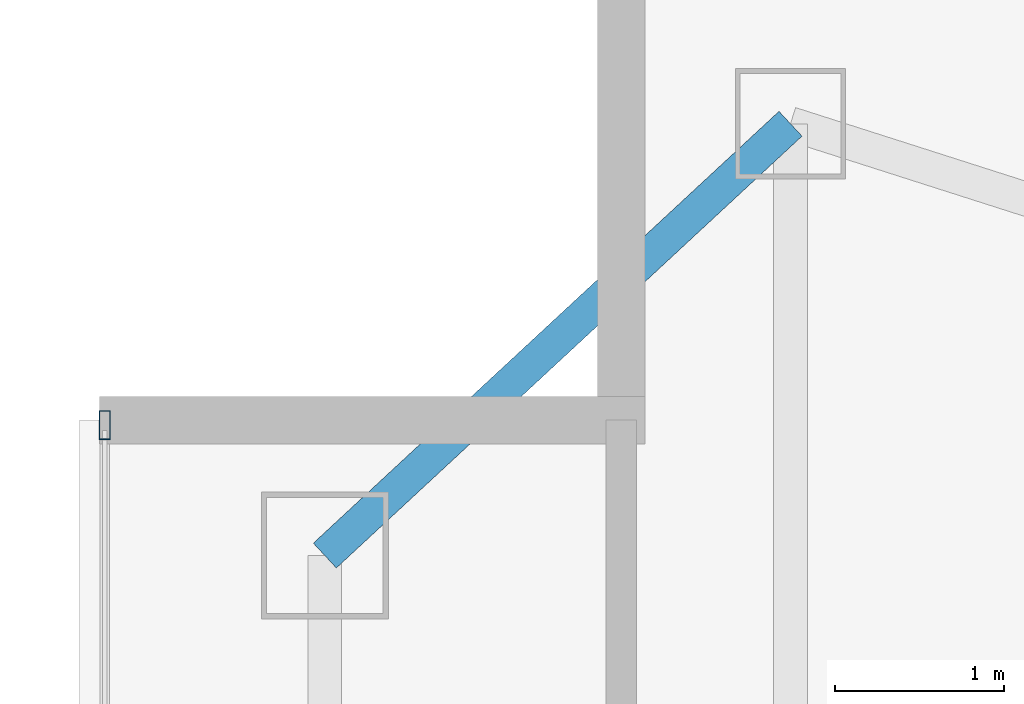
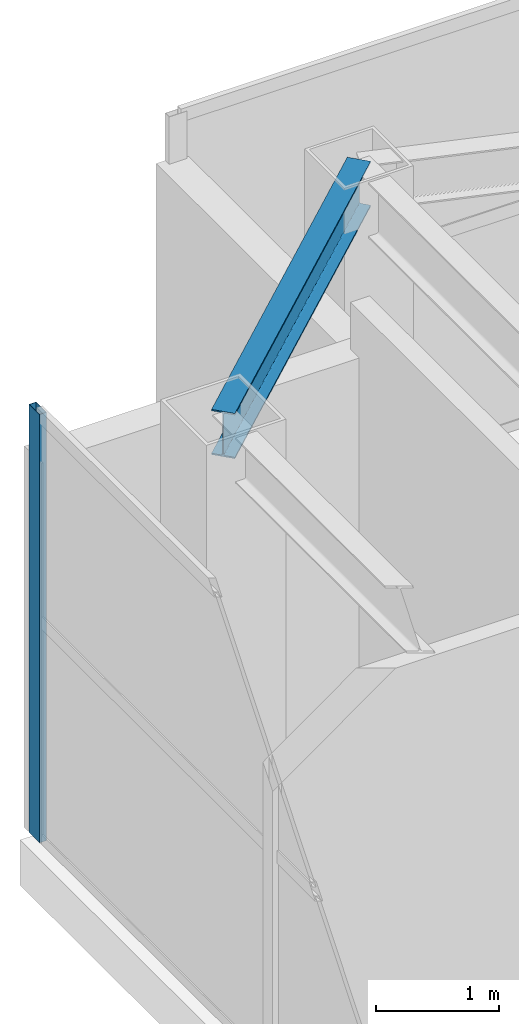
# One storey, part 16 of 25: 1 beam, 1 member, 1 element without a shape of its own.
"""IFC4 building model written with IfcOpenShell, lengths in metres."""

import ifcopenshell
import ifcopenshell.guid

model = None  # the IFC model being written
_history = None  # IfcOwnerHistory: only IFC2X3 demands one
_inside = {}  # id of a spatial element -> (the spatial element, [elements in it])
_under = {}  # id of a project, library or spatial element -> (it, [spatial elements below it])
_declared = {}  # id of a project -> (the project, [libraries it declares])
_typed = {}  # id of a type object -> (the type object, [elements of that type])
_made_of = {}  # id of a material, layer set ... -> (it, [elements and type objects made of it])


def new_model(schema):
    """Start an empty IFC model of exactly this schema.

    Asked for "IFC4X3", IfcOpenShell would pick the latest addendum, in which some entities
    have other attributes; the version numbers below select the first issue.
    IFC2X3 requires an IfcOwnerHistory on every rooted entity: one is made here for all.
    """
    global model, _history
    if schema == "IFC4X3":
        model = ifcopenshell.file(schema_version=(4, 3, 0, 0))
    else:
        model = ifcopenshell.file(schema=schema)
    _inside.clear()
    _under.clear()
    _declared.clear()
    _typed.clear()
    _made_of.clear()
    _history = None
    if model.schema == "IFC2X3":
        org = make("IfcOrganization", Name="unknown")
        user = make(
            "IfcPersonAndOrganization",
            ThePerson=make("IfcPerson", FamilyName="unknown"),
            TheOrganization=org,
        )
        app = make(
            "IfcApplication",
            ApplicationDeveloper=org,
            Version="unknown",
            ApplicationFullName="unknown",
            ApplicationIdentifier="unknown",
        )
        _history = make(
            "IfcOwnerHistory",
            OwningUser=user,
            OwningApplication=app,
            ChangeAction="ADDED",
            CreationDate=0,
        )
    return model


def make(cls, **values):
    """One entity of the class cls with the attributes given. An attribute that is None is left unset."""
    return model.create_entity(
        cls, **{name: value for name, value in values.items() if value is not None}
    )


def rooted(cls, **values):
    """An entity with a GlobalId (a new one), such as an element, a storey or a relation."""
    return make(cls, GlobalId=ifcopenshell.guid.new(), OwnerHistory=_history, **values)


def si_unit(unit_type, name, prefix=None):
    """IfcSIUnit, for example si_unit("LENGTHUNIT", "METRE", prefix="MILLI")."""
    return make("IfcSIUnit", UnitType=unit_type, Prefix=prefix, Name=name)


def assignment(units):
    """IfcUnitAssignment: the units of a project."""
    return None if units is None else make("IfcUnitAssignment", Units=units)


def point(xyz):
    """IfcCartesianPoint."""
    return None if xyz is None else make("IfcCartesianPoint", Coordinates=xyz)


def direction(xyz):
    """IfcDirection."""
    return None if xyz is None else make("IfcDirection", DirectionRatios=xyz)


def frame(location, z_axis=None, x_axis=None):
    """IfcAxis2Placement3D, a coordinate frame: its origin and axes. An axis left out is left unset."""
    return make(
        "IfcAxis2Placement3D",
        Location=point(location),
        Axis=direction(z_axis),
        RefDirection=direction(x_axis),
    )


def frame_2d(location, x_axis=None):
    """IfcAxis2Placement2D, a coordinate frame in the plane: its origin and x axis."""
    return make(
        "IfcAxis2Placement2D", Location=point(location), RefDirection=direction(x_axis)
    )


def origin():
    """The frame at (0, 0, 0) with its axes left unset."""
    return frame((0.0, 0.0, 0.0))


def origin_2d():
    """The frame at (0, 0) in the plane with its x axis left unset."""
    return frame_2d((0.0, 0.0))


def place(relative_to, where):
    """IfcLocalPlacement: puts the frame where relative to a parent placement (None: the world)."""
    return make(
        "IfcLocalPlacement", PlacementRelTo=relative_to, RelativePlacement=where
    )


def context(
    kind, dimensions, precision=None, world=None, true_north=None, identifier=None
):
    """IfcGeometricRepresentationContext, for example the 3D "Model" context."""
    return make(
        "IfcGeometricRepresentationContext",
        ContextIdentifier=identifier,
        ContextType=kind,
        CoordinateSpaceDimension=dimensions,
        Precision=precision,
        WorldCoordinateSystem=world,
        TrueNorth=true_north,
    )


def subcontext(parent, identifier, kind, view, scale=None):
    """IfcGeometricRepresentationSubContext, for example "Body" below "Model"."""
    return make(
        "IfcGeometricRepresentationSubContext",
        ContextIdentifier=identifier,
        ContextType=kind,
        ParentContext=parent,
        TargetScale=scale,
        TargetView=view,
    )


def project(units=None, contexts=None):
    """IfcProject with its units and contexts."""
    return rooted(
        "IfcProject",
        Name="project",
        RepresentationContexts=contexts,
        UnitsInContext=assignment(units),
    )


def spatial(cls, under=None, at=None, **own):
    """A site, building, storey or space (cls), placed at a placement, below another one or the project."""
    s = rooted(cls, ObjectPlacement=at, **own)
    if under is not None:
        _under.setdefault(under.id(), (under, []))[1].append(s)
    return s


def profile(cls, at=None, kind="AREA", **sizes):
    """A parametric profile (cls). Its sizes go by their IFC names, for example OverallWidth=200.0."""
    return make(cls, ProfileType=kind, Position=at, **sizes)


def hollow_rectangle(**sizes):
    """IfcRectangleHollowProfileDef."""
    return profile("IfcRectangleHollowProfileDef", **sizes)


def i_section(**sizes):
    """IfcIShapeProfileDef."""
    return profile("IfcIShapeProfileDef", **sizes)


def extrude(swept, where, along, depth):
    """IfcExtrudedAreaSolid: the profile swept, set in the frame where, extruded along a direction by depth."""
    return make(
        "IfcExtrudedAreaSolid",
        SweptArea=swept,
        Position=where,
        ExtrudedDirection=direction(along),
        Depth=depth,
    )


def shape(context_of_items, identifier, shape_type, items):
    """IfcShapeRepresentation: the items that make up one representation, for example the "Body"."""
    return make(
        "IfcShapeRepresentation",
        ContextOfItems=context_of_items,
        RepresentationIdentifier=identifier,
        RepresentationType=shape_type,
        Items=items,
    )


def material(Name=None, Category=None):
    """IfcMaterial."""
    return make("IfcMaterial", Name=Name, Category=Category)


def layer(
    of_material, thickness, ventilated=None, Name=None, Category=None, Priority=None
):
    """IfcMaterialLayer: one layer of a wall or slab, of a material (None: an air gap)."""
    return make(
        "IfcMaterialLayer",
        Material=of_material,
        LayerThickness=thickness,
        IsVentilated=ventilated,
        Name=Name,
        Category=Category,
        Priority=Priority,
    )


def layer_set(layers, Name=None):
    """IfcMaterialLayerSet."""
    return make("IfcMaterialLayerSet", MaterialLayers=layers, LayerSetName=Name)


def material_profile(
    of_material, cross_section, Name=None, Category=None, Priority=None
):
    """IfcMaterialProfile: a cross section and its material."""
    return make(
        "IfcMaterialProfile",
        Name=Name,
        Material=of_material,
        Profile=cross_section,
        Priority=Priority,
        Category=Category,
    )


def profile_set(profiles, Name=None, composite=None):
    """IfcMaterialProfileSet."""
    return make(
        "IfcMaterialProfileSet",
        Name=Name,
        MaterialProfiles=profiles,
        CompositeProfile=composite,
    )


def made_of(thing, what):
    """Note that an element or type object is made of a material, layer set ...; save() writes the relation."""
    if what is not None:
        _made_of.setdefault(what.id(), (what, []))[1].append(thing)
    return thing


def type_object(cls, material=None, **own):
    """A type object (cls), such as IfcWallType, which elements share."""
    return made_of(rooted(cls, **own), material)


def element(
    cls,
    number,
    at=None,
    inside=None,
    cuts=None,
    type_object=None,
    material=None,
    context=None,
    identifier="Body",
    shape_type=None,
    held_by="IfcProductDefinitionShape",
    body=None,
    shapes=None,
    **own,
):
    """One element of the class cls, such as IfcWall. Its Tag is "e" and its number.

    at: its placement. inside: the storey or other place that contains it. cuts: it is an
    opening in that element (IfcRelVoidsElement). A single representation is given by context,
    identifier, shape_type and body (its items); several are given by shapes. held_by: the class
    of the entity that holds the representations. save() writes the other relations.
    """
    e = rooted(cls, Tag="e%d" % number, ObjectPlacement=at, **own)
    if body is not None:
        shapes = [shape(context, identifier, shape_type, body)]
    if shapes is not None:
        e.Representation = make(held_by, Representations=shapes)
    if inside is not None:
        _inside.setdefault(inside.id(), (inside, []))[1].append(e)
    if cuts is not None:
        rooted(
            "IfcRelVoidsElement", RelatingBuildingElement=cuts, RelatedOpeningElement=e
        )
    if type_object is not None:
        _typed.setdefault(type_object.id(), (type_object, []))[1].append(e)
    return made_of(e, material)


def aggregate(whole, parts):
    """IfcRelAggregates: a whole, such as a stair, and the parts it consists of."""
    return rooted("IfcRelAggregates", RelatingObject=whole, RelatedObjects=parts)


def save(model, path):
    """Write the relations noted so far, then the file.

    IfcRelAggregates (storeys below a building ...), IfcRelContainedInSpatialStructure (elements
    in a storey), IfcRelDefinesByType, IfcRelAssociatesMaterial and IfcRelDeclares: one each for
    every whole, place, type object, material and project.
    """
    for whole, parts in _under.values():
        aggregate(whole, parts)
    for where, things in _inside.values():
        rooted(
            "IfcRelContainedInSpatialStructure",
            RelatedElements=things,
            RelatingStructure=where,
        )
    for kind, things in _typed.values():
        rooted("IfcRelDefinesByType", RelatedObjects=things, RelatingType=kind)
    for what, things in _made_of.values():
        rooted("IfcRelAssociatesMaterial", RelatedObjects=things, RelatingMaterial=what)
    for by, libraries in _declared.values():
        rooted("IfcRelDeclares", RelatingContext=by, RelatedDefinitions=libraries)
    model.write(path)


model = new_model("IFC4")

# Units and contexts
model_context = context("Model", 3, precision=1e-05, world=origin(), true_north=direction((0.0, 1.0)))
body_context = subcontext(model_context, "Body", "Model", "MODEL_VIEW")
ifc_project = project(units=[si_unit("LENGTHUNIT", "METRE"), si_unit("AREAUNIT", "SQUARE_METRE"), si_unit("VOLUMEUNIT", "CUBIC_METRE"), si_unit("PLANEANGLEUNIT", "RADIAN"), si_unit("MASSUNIT", "GRAM", prefix="KILO")], contexts=[model_context])

# Site, building, storey
site_placement = place(None, origin())
site = spatial("IfcSite", under=ifc_project, at=site_placement, CompositionType="ELEMENT")
building_placement = place(site_placement, origin())
building = spatial("IfcBuilding", under=site, at=building_placement, Name="Calvorn Quay Hotel", CompositionType="ELEMENT")
storey_placement = place(building_placement, frame((0.0, 0.0, 307.0)))
storey = spatial("IfcBuildingStorey", under=building, at=storey_placement, Name="L76", CompositionType="ELEMENT", Elevation=307.0)

# Beam
ifc_material_1 = material(Name="Steel Q355B", Category="steel")
ifc_material_profile_1 = material_profile(ifc_material_1, i_section(OverallWidth=0.199951171875, OverallDepth=0.449951171875, WebThickness=0.009033203125, FlangeThickness=0.013916015625, FilletRadius=0.01611328125, at=origin_2d()), Name="HN450x200x9x14")
ifc_profile_set_1 = profile_set([ifc_material_profile_1], Name="Steel Q355B")
beam_type = type_object("IfcBeamType", Name="BM-SPANDREL-Z3", PredefinedType="SPANDREL", material=ifc_profile_set_1)
beam_placement = place(storey_placement, frame((1.449951171875, 47.0, 4.014892578125), z_axis=(0.733261665538, 0.679946563969, 0.0), x_axis=(-0.679946563969, 0.733261665538, 0.0)))
element("IfcBeam", 1, at=beam_placement, inside=storey, type_object=beam_type, Name="Beam BSP-L76-W5", PredefinedType="SPANDREL", context=body_context, shape_type="SweptSolid", body=[
    extrude(i_section(OverallWidth=0.199951171875, OverallDepth=0.449951171875, WebThickness=0.009033203125, FlangeThickness=0.013916015625, FilletRadius=0.01611328125, at=origin_2d()), origin(), (0.0, 0.0, 1.0), 3.75048828125),
])

# Curtain wall, member
ifc_material_2 = material(Name="Champagne Bronze Anodised Aluminium and Low-E Glass", Category="aluminium")
ifc_layer = layer(ifc_material_2, 0.219970703125)
ifc_layer_set = layer_set([ifc_layer], Name="CW-SYS-Z4")
curtain_wall_type = type_object("IfcCurtainWallType", Name="CW-SYS-Z4", PredefinedType="NOTDEFINED", material=ifc_layer_set)
curtain_wall_placement = place(storey_placement, origin())
curtain_wall = element("IfcCurtainWall", 2, at=curtain_wall_placement, inside=storey, type_object=curtain_wall_type, Name="Tower West Curtain Wall (L76)", PredefinedType="NOTDEFINED")
ifc_material_3 = material(Name="Champagne Bronze Anodised Aluminium 6063-T6", Category="aluminium")
ifc_material_profile_2 = material_profile(ifc_material_3, hollow_rectangle(XDim=0.06494140625, YDim=0.169921875, WallThickness=0.00341796875, at=origin_2d()), Name="ALU-M170x65x3.5")
ifc_profile_set_2 = profile_set([ifc_material_profile_2], Name="Champagne Bronze Anodised Aluminium 6063-T6")
member_type = type_object("IfcMemberType", Name="CW-SYS-Z4-MUL", PredefinedType="MULLION", material=ifc_profile_set_2)
member_placement = place(storey_placement, frame((0.14990234375, 47.77001953125, 0.0), z_axis=(0.0, 0.0, 1.0), x_axis=(-1.0, 0.0, 0.0)))
member = element("IfcMember", 3, at=member_placement, type_object=member_type, Name="CW-L76-W mullion 5", PredefinedType="MULLION", context=body_context, shape_type="SweptSolid", body=[
    extrude(hollow_rectangle(XDim=0.06494140625, YDim=0.169921875, WallThickness=0.00341796875, at=origin_2d()), origin(), (0.0, 0.0, 1.0), 4.260009765625),
])
aggregate(curtain_wall, [member])

save(model, "model.ifc")
